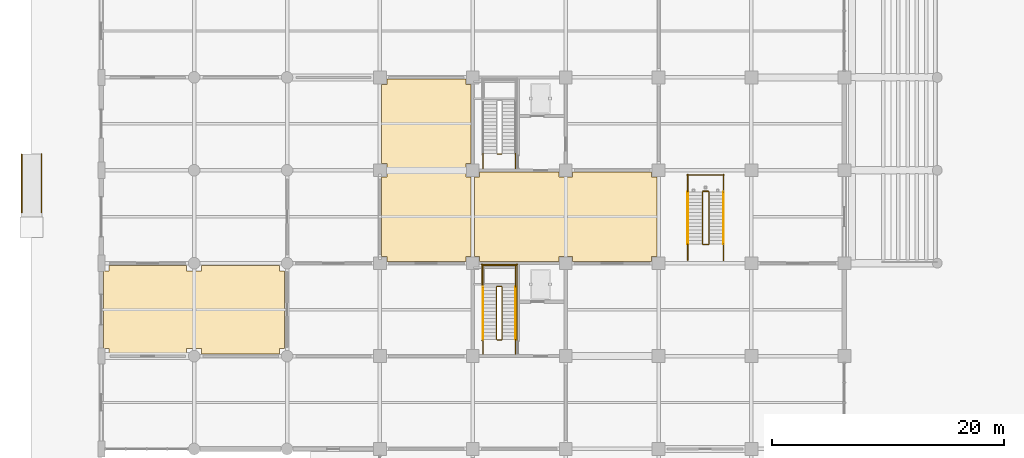
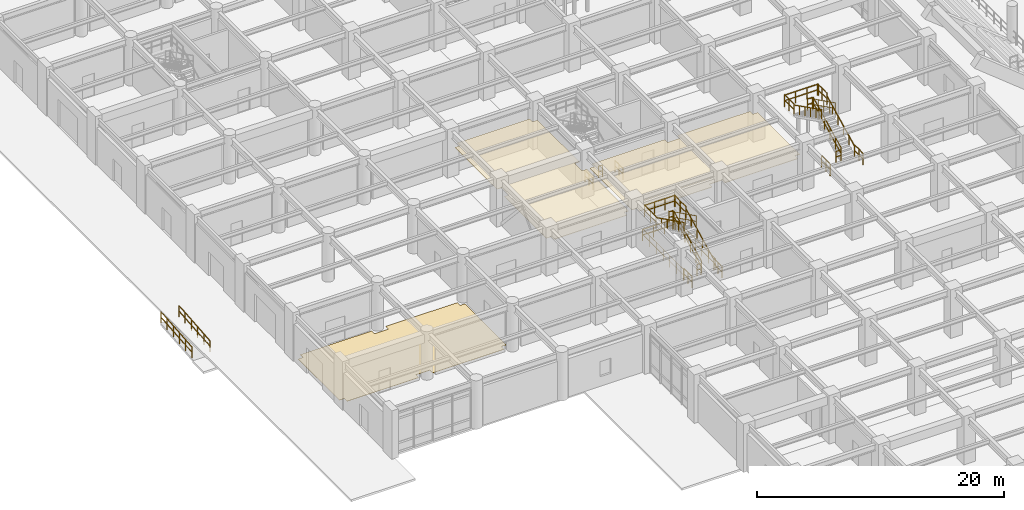
# One storey, part 104 of 125: 30 railings, 3 coverings.
"""IFC4 building model written with IfcOpenShell, lengths in metres."""

from ifc_helpers import new_model, si_unit, direction, frame, origin, origin_2d, place, context, subcontext, project, spatial, polyline, circle, outline, extrude, material, layer, layer_set, type_object, element, save


model = new_model("IFC4")

# Units and contexts
model_context = context("Model", 3, precision=1e-05, world=origin(), true_north=direction((0.0, 1.0)))
body_context = subcontext(model_context, "Body", "Model", "MODEL_VIEW")
ifc_project = project(units=[si_unit("LENGTHUNIT", "METRE"), si_unit("AREAUNIT", "SQUARE_METRE"), si_unit("VOLUMEUNIT", "CUBIC_METRE"), si_unit("PLANEANGLEUNIT", "RADIAN"), si_unit("MASSUNIT", "GRAM", prefix="KILO")], contexts=[model_context])

# Site, building, storey
site_placement = place(None, origin())
site = spatial("IfcSite", under=ifc_project, at=site_placement, CompositionType="ELEMENT")
building_placement = place(site_placement, origin())
building = spatial("IfcBuilding", under=site, at=building_placement, Name="Haebicheon Civic Stadium", CompositionType="ELEMENT")
storey_placement = place(building_placement, origin())
storey = spatial("IfcBuildingStorey", under=building, at=storey_placement, Name="L01", CompositionType="ELEMENT", Elevation=0.0)

# Coverings
ifc_material_1 = material(Name="Perforated mineral-fibre acoustic board", Category="gypsum")
ifc_layer_1 = layer(ifc_material_1, 0.0400390625, Name="Perforated mineral-fibre acoustic board")
ifc_layer_set_1 = layer_set([ifc_layer_1], Name="Perforated mineral-fibre acoustic board")
covering_type_1 = type_object("IfcCoveringType", Name="COV-CLG-AC", PredefinedType="CEILING", material=ifc_layer_set_1)
covering_1_placement = place(storey_placement, frame((0.0, 0.0, 2.81005859375)))
element("IfcCovering", 1, at=covering_1_placement, inside=storey, type_object=covering_type_1, material=ifc_layer_set_1, Name="L01 Mixed Zone Media Interview Hall acoustic ceiling", PredefinedType="CEILING", context=body_context, shape_type="SweptSolid", body=[
    extrude(outline(polyline([(24.594970703125, 48.14501953125), (24.594970703125, 48.594970703125), (24.14501953125, 48.594970703125), (24.14501953125, 55.405029296875), (24.594970703125, 55.405029296875), (24.594970703125, 56.594970703125), (24.14501953125, 56.594970703125), (24.14501953125, 63.405029296875), (24.594970703125, 63.405029296875), (24.594970703125, 63.85498046875), (31.405029296875, 63.85498046875), (31.405029296875, 63.405029296875), (31.85498046875, 63.405029296875), (31.85498046875, 56.594970703125), (31.405029296875, 56.594970703125), (31.405029296875, 55.405029296875), (31.85498046875, 55.405029296875), (31.85498046875, 48.594970703125), (31.405029296875, 48.594970703125), (31.405029296875, 48.14501953125), (24.594970703125, 48.14501953125)])), origin(), (0.0, 0.0, 1.0), 0.0400390625),
])
covering_2_placement = place(storey_placement, frame((0.0, 0.0, 2.81005859375)))
element("IfcCovering", 2, at=covering_2_placement, inside=storey, type_object=covering_type_1, material=ifc_layer_set_1, Name="L01 VIP Entrance Reception Hall acoustic ceiling", PredefinedType="CEILING", context=body_context, shape_type="SweptSolid", body=[
    extrude(outline(polyline([(32.14501953125, 55.405029296875), (32.594970703125, 55.405029296875), (32.594970703125, 55.85498046875), (39.405029296875, 55.85498046875), (39.405029296875, 55.405029296875), (40.594970703125, 55.405029296875), (40.594970703125, 55.85498046875), (47.405029296875, 55.85498046875), (47.405029296875, 55.405029296875), (47.85498046875, 55.405029296875), (47.85498046875, 48.594970703125), (47.405029296875, 48.594970703125), (47.405029296875, 48.14501953125), (40.594970703125, 48.14501953125), (40.594970703125, 48.594970703125), (39.405029296875, 48.594970703125), (39.405029296875, 48.14501953125), (32.594970703125, 48.14501953125), (32.594970703125, 48.594970703125), (32.14501953125, 48.594970703125), (32.14501953125, 55.405029296875)])), origin(), (0.0, 0.0, 1.0), 0.0400390625),
])
ifc_material_2 = material(Name="Quartz epoxy resin mortar", Category="concrete")
ifc_layer_2 = layer(ifc_material_2, 0.030029296875, Name="Quartz epoxy resin mortar")
ifc_layer_set_2 = layer_set([ifc_layer_2], Name="Quartz epoxy resin mortar")
covering_type_2 = type_object("IfcCoveringType", Name="COV-FLR-EPX", PredefinedType="FLOORING", material=ifc_layer_set_2)
covering_3_placement = place(storey_placement, origin())
element("IfcCovering", 3, at=covering_3_placement, inside=storey, type_object=covering_type_2, material=ifc_layer_set_2, Name="L01 Ticketing Hall non-slip floor finish", PredefinedType="FLOORING", context=body_context, shape_type="SweptSolid", body=[
    extrude(outline(polyline([(0.199951171875, 47.35009765625), (0.64990234375, 47.35009765625), (0.64990234375, 47.800048828125), (7.35009765625, 47.800048828125), (7.35009765625, 47.35009765625), (8.64990234375, 47.35009765625), (8.64990234375, 47.800048828125), (15.35009765625, 47.800048828125), (15.35009765625, 47.35009765625), (15.800048828125, 47.35009765625), (15.800048828125, 40.64990234375), (15.35009765625, 40.64990234375), (15.35009765625, 40.199951171875), (8.64990234375, 40.199951171875), (8.64990234375, 40.64990234375), (7.35009765625, 40.64990234375), (7.35009765625, 40.199951171875), (0.64990234375, 40.199951171875), (0.64990234375, 40.64990234375), (0.199951171875, 40.64990234375), (0.199951171875, 47.35009765625)])), origin(), (0.0, 0.0, 1.0), 0.030029296875),
])

# Railings
ifc_material_3 = material(Name="Stainless steel 316 and laminated glass", Category="steel")
railing_type_1 = type_object("IfcRailingType", Name="RL-BAL-1200", PredefinedType="BALUSTRADE", material=ifc_material_3)
for number, where, name in (
    (4, (-6.85009765625, 52.360107421875, -0.419921875), "Ramp handrail guard RMP-01 L"),
    (5, (-5.14990234375, 52.360107421875, -0.419921875), "Ramp handrail guard RMP-01 R"),
):
    element("IfcRailing", number, at=place(storey_placement, frame(where)), inside=storey, type_object=railing_type_1, material=ifc_material_3, Name=name, PredefinedType="BALUSTRADE", context=body_context, shape_type="SweptSolid", body=[
        extrude(circle(Radius=0.02392578125, at=origin_2d()), frame((0.0, 0.0, 1.076171875), z_axis=(0.0, 0.996546756972, 0.083033494259), x_axis=(-1.0, 0.0, 0.0)), (0.0, 0.0, 1.0), 5.057373046875),
        extrude(circle(Radius=0.02392578125, at=origin_2d()), frame((0.0, 0.0, 0.550048828125), z_axis=(0.0, 0.996546756972, 0.083033494259), x_axis=(-1.0, 0.0, 0.0)), (0.0, 0.0, 1.0), 5.057373046875),
        extrude(circle(Radius=0.02099609375, at=origin_2d()), origin(), (0.0, 0.0, 1.0), 1.052001953125),
        extrude(circle(Radius=0.02099609375, at=origin_2d()), frame((0.0, 1.008056640625, 0.083984375)), (0.0, 0.0, 1.0), 1.052001953125),
        extrude(circle(Radius=0.02099609375, at=origin_2d()), frame((0.0, 2.015869140625, 0.16796875)), (0.0, 0.0, 1.0), 1.052001953125),
        extrude(circle(Radius=0.02099609375, at=origin_2d()), frame((0.0, 3.02392578125, 0.251953125)), (0.0, 0.0, 1.0), 1.052001953125),
        extrude(circle(Radius=0.02099609375, at=origin_2d()), frame((0.0, 4.03173828125, 0.3359375)), (0.0, 0.0, 1.0), 1.052001953125),
        extrude(circle(Radius=0.02099609375, at=origin_2d()), frame((0.0, 5.039794921875, 0.419921875)), (0.0, 0.0, 1.0), 1.052001953125),
    ])
ifc_material_4 = material(Name="Galvanised painted steel SM355", Category="steel")
railing_type_2 = type_object("IfcRailingType", Name="RL-GRD-1150", PredefinedType="GUARDRAIL", material=ifc_material_4)
railing_1_placement = place(storey_placement, frame((34.530029296875, 41.449951171875, 0.14990234375)))
element("IfcRailing", 6, at=railing_1_placement, inside=storey, type_object=railing_type_2, material=ifc_material_4, Name="L01 ST-01 stair guard 1", PredefinedType="GUARDRAIL", context=body_context, shape_type="SweptSolid", body=[
    extrude(circle(Radius=0.02392578125, at=origin_2d()), frame((0.0, 0.0, 1.1259765625), z_axis=(0.0, 0.894427191, 0.4472135955), x_axis=(-1.0, 0.0, 0.0)), (0.0, 0.0, 1.0), 5.03125),
    extrude(circle(Radius=0.02392578125, at=origin_2d()), frame((0.0, 0.0, 0.574951171875), z_axis=(0.0, 0.894427191, 0.4472135955), x_axis=(-1.0, 0.0, 0.0)), (0.0, 0.0, 1.0), 5.03125),
    extrude(circle(Radius=0.02099609375, at=origin_2d()), origin(), (0.0, 0.0, 1.0), 1.101806640625),
    extrude(circle(Radius=0.02099609375, at=origin_2d()), frame((0.0, 0.89990234375, 0.449951171875)), (0.0, 0.0, 1.0), 1.101806640625),
    extrude(circle(Radius=0.02099609375, at=origin_2d()), frame((0.0, 1.800048828125, 0.89990234375)), (0.0, 0.0, 1.0), 1.101806640625),
    extrude(circle(Radius=0.02099609375, at=origin_2d()), frame((0.0, 2.699951171875, 1.35009765625)), (0.0, 0.0, 1.0), 1.101806640625),
    extrude(circle(Radius=0.02099609375, at=origin_2d()), frame((0.0, 3.60009765625, 1.800048828125)), (0.0, 0.0, 1.0), 1.101806640625),
    extrude(circle(Radius=0.02099609375, at=origin_2d()), frame((0.0, 4.5, 2.25)), (0.0, 0.0, 1.0), 1.101806640625),
])
railing_2_placement = place(storey_placement, frame((34.47998046875, 46.0, 2.39990234375)))
element("IfcRailing", 7, at=railing_2_placement, inside=storey, type_object=railing_type_2, material=ifc_material_4, Name="L01 ST-01 stair guard 2", PredefinedType="GUARDRAIL", context=body_context, shape_type="SweptSolid", body=[
    extrude(circle(Radius=0.02392578125, at=origin_2d()), frame((0.0, 0.0, 1.1259765625), z_axis=(-1.0, 0.0, 0.0), x_axis=(0.0, -1.0, 0.0)), (0.0, 0.0, 1.0), 0.3798828125),
    extrude(circle(Radius=0.02392578125, at=origin_2d()), frame((0.0, 0.0, 0.574951171875), z_axis=(-1.0, 0.0, 0.0), x_axis=(0.0, -1.0, 0.0)), (0.0, 0.0, 1.0), 0.3798828125),
    extrude(circle(Radius=0.02099609375, at=origin_2d()), origin(), (0.0, 0.0, 1.0), 1.101806640625),
    extrude(circle(Radius=0.02099609375, at=origin_2d()), frame((-0.3798828125, 0.0, 0.0)), (0.0, 0.0, 1.0), 1.101806640625),
])
for number, where, name in (
    (8, (35.68994140625, 45.949951171875, 2.39990234375), "L01 ST-01 stair guard 3"),
    (9, (32.889892578125, 45.949951171875, 2.39990234375), "L01 ST-01 stair guard 4"),
):
    element("IfcRailing", number, at=place(storey_placement, frame(where)), inside=storey, type_object=railing_type_2, material=ifc_material_4, Name=name, PredefinedType="GUARDRAIL", context=body_context, shape_type="SweptSolid", body=[
        extrude(circle(Radius=0.02392578125, at=origin_2d()), frame((0.0, 0.0, 1.1259765625), z_axis=(0.0, 1.0, 0.0), x_axis=(-1.0, 0.0, 0.0)), (0.0, 0.0, 1.0), 1.89013671875),
        extrude(circle(Radius=0.02392578125, at=origin_2d()), frame((0.0, 0.0, 0.574951171875), z_axis=(0.0, 1.0, 0.0), x_axis=(-1.0, 0.0, 0.0)), (0.0, 0.0, 1.0), 1.89013671875),
        extrude(circle(Radius=0.02099609375, at=origin_2d()), origin(), (0.0, 0.0, 1.0), 1.101806640625),
        extrude(circle(Radius=0.02099609375, at=origin_2d()), frame((0.0, 0.945068359375, 0.0)), (0.0, 0.0, 1.0), 1.101806640625),
        extrude(circle(Radius=0.02099609375, at=origin_2d()), frame((0.0, 1.89013671875, 0.0)), (0.0, 0.0, 1.0), 1.101806640625),
    ])
railing_3_placement = place(storey_placement, frame((35.739990234375, 47.7900390625, 2.39990234375)))
element("IfcRailing", 10, at=railing_3_placement, inside=storey, type_object=railing_type_2, material=ifc_material_4, Name="L01 ST-01 stair guard 5", PredefinedType="GUARDRAIL", context=body_context, shape_type="SweptSolid", body=[
    extrude(circle(Radius=0.02392578125, at=origin_2d()), frame((0.0, 0.0, 1.1259765625), z_axis=(-1.0, 0.0, 0.0), x_axis=(0.0, -1.0, 0.0)), (0.0, 0.0, 1.0), 2.89990234375),
    extrude(circle(Radius=0.02392578125, at=origin_2d()), frame((0.0, 0.0, 0.574951171875), z_axis=(-1.0, 0.0, 0.0), x_axis=(0.0, -1.0, 0.0)), (0.0, 0.0, 1.0), 2.89990234375),
    extrude(circle(Radius=0.02099609375, at=origin_2d()), origin(), (0.0, 0.0, 1.0), 1.101806640625),
    extrude(circle(Radius=0.02099609375, at=origin_2d()), frame((-0.966552734375, 0.0, 0.0)), (0.0, 0.0, 1.0), 1.101806640625),
    extrude(circle(Radius=0.02099609375, at=origin_2d()), frame((-1.933349609375, 0.0, 0.0)), (0.0, 0.0, 1.0), 1.101806640625),
    extrude(circle(Radius=0.02099609375, at=origin_2d()), frame((-2.89990234375, 0.0, 0.0)), (0.0, 0.0, 1.0), 1.101806640625),
])
railing_4_placement = place(storey_placement, frame((34.050048828125, 45.949951171875, 2.550048828125)))
element("IfcRailing", 11, at=railing_4_placement, inside=storey, type_object=railing_type_2, material=ifc_material_4, Name="L01 ST-01 stair guard 6", PredefinedType="GUARDRAIL", context=body_context, shape_type="SweptSolid", body=[
    extrude(circle(Radius=0.02392578125, at=origin_2d()), frame((0.0, 0.0, 1.1259765625), z_axis=(0.0, -0.894427191, 0.4472135955), x_axis=(1.0, 0.0, 0.0)), (0.0, 0.0, 1.0), 5.03125),
    extrude(circle(Radius=0.02392578125, at=origin_2d()), frame((0.0, 0.0, 0.574951171875), z_axis=(0.0, -0.894427191, 0.4472135955), x_axis=(1.0, 0.0, 0.0)), (0.0, 0.0, 1.0), 5.03125),
    extrude(circle(Radius=0.02099609375, at=origin_2d()), origin(), (0.0, 0.0, 1.0), 1.101806640625),
    extrude(circle(Radius=0.02099609375, at=origin_2d()), frame((0.0, -0.89990234375, 0.449951171875)), (0.0, 0.0, 1.0), 1.101806640625),
    extrude(circle(Radius=0.02099609375, at=origin_2d()), frame((0.0, -1.800048828125, 0.89990234375)), (0.0, 0.0, 1.0), 1.101806640625),
    extrude(circle(Radius=0.02099609375, at=origin_2d()), frame((0.0, -2.699951171875, 1.35009765625)), (0.0, 0.0, 1.0), 1.101806640625),
    extrude(circle(Radius=0.02099609375, at=origin_2d()), frame((0.0, -3.60009765625, 1.800048828125)), (0.0, 0.0, 1.0), 1.101806640625),
    extrude(circle(Radius=0.02099609375, at=origin_2d()), frame((0.0, -4.5, 2.25)), (0.0, 0.0, 1.0), 1.101806640625),
])
railing_5_placement = place(storey_placement, frame((34.47998046875, 41.39990234375, 0.0)))
element("IfcRailing", 12, at=railing_5_placement, inside=storey, type_object=railing_type_2, material=ifc_material_4, Name="L01 ST-01 stair guard 7", PredefinedType="GUARDRAIL", context=body_context, shape_type="SweptSolid", body=[
    extrude(circle(Radius=0.02392578125, at=origin_2d()), frame((0.0, 0.0, 1.1259765625), z_axis=(-1.0, 0.0, 0.0), x_axis=(0.0, -1.0, 0.0)), (0.0, 0.0, 1.0), 0.3798828125),
    extrude(circle(Radius=0.02392578125, at=origin_2d()), frame((0.0, 0.0, 0.574951171875), z_axis=(-1.0, 0.0, 0.0), x_axis=(0.0, -1.0, 0.0)), (0.0, 0.0, 1.0), 0.3798828125),
    extrude(circle(Radius=0.02099609375, at=origin_2d()), origin(), (0.0, 0.0, 1.0), 1.101806640625),
    extrude(circle(Radius=0.02099609375, at=origin_2d()), frame((-0.3798828125, 0.0, 0.0)), (0.0, 0.0, 1.0), 1.101806640625),
])
for number, where, name in (
    (13, (35.68994140625, 40.159912109375, 0.0), "L01 ST-01 stair guard 8"),
    (14, (32.889892578125, 40.159912109375, 0.0), "L01 ST-01 stair guard 9"),
):
    element("IfcRailing", number, at=place(storey_placement, frame(where)), inside=storey, type_object=railing_type_2, material=ifc_material_4, Name=name, PredefinedType="GUARDRAIL", context=body_context, shape_type="SweptSolid", body=[
        extrude(circle(Radius=0.02392578125, at=origin_2d()), frame((0.0, 0.0, 1.1259765625), z_axis=(0.0, 1.0, 0.0), x_axis=(-1.0, 0.0, 0.0)), (0.0, 0.0, 1.0), 1.2900390625),
        extrude(circle(Radius=0.02392578125, at=origin_2d()), frame((0.0, 0.0, 0.574951171875), z_axis=(0.0, 1.0, 0.0), x_axis=(-1.0, 0.0, 0.0)), (0.0, 0.0, 1.0), 1.2900390625),
        extrude(circle(Radius=0.02099609375, at=origin_2d()), origin(), (0.0, 0.0, 1.0), 1.101806640625),
        extrude(circle(Radius=0.02099609375, at=origin_2d()), frame((0.0, 0.64501953125, 0.0)), (0.0, 0.0, 1.0), 1.101806640625),
        extrude(circle(Radius=0.02099609375, at=origin_2d()), frame((0.0, 1.2900390625, 0.0)), (0.0, 0.0, 1.0), 1.101806640625),
    ])
for number, where, name in (
    (15, (35.7900390625, 41.35009765625, 0.0), "L01 ST-01 stair guard 10"),
    (16, (32.7900390625, 41.35009765625, 0.0), "L01 ST-01 stair guard 11"),
):
    element("IfcRailing", number, at=place(storey_placement, frame(where)), inside=storey, type_object=railing_type_2, material=ifc_material_4, Name=name, PredefinedType="GUARDRAIL", context=body_context, shape_type="SweptSolid", body=[
        extrude(circle(Radius=0.02392578125, at=origin_2d()), frame((0.0, 0.0, 1.1259765625), z_axis=(0.0, 1.0, 0.0), x_axis=(-1.0, 0.0, 0.0)), (0.0, 0.0, 1.0), 6.58984375),
        extrude(circle(Radius=0.02392578125, at=origin_2d()), frame((0.0, 0.0, 0.574951171875), z_axis=(0.0, 1.0, 0.0), x_axis=(-1.0, 0.0, 0.0)), (0.0, 0.0, 1.0), 6.58984375),
        extrude(circle(Radius=0.02099609375, at=origin_2d()), origin(), (0.0, 0.0, 1.0), 1.101806640625),
        extrude(circle(Radius=0.02099609375, at=origin_2d()), frame((0.0, 1.098388671875, 0.0)), (0.0, 0.0, 1.0), 1.101806640625),
        extrude(circle(Radius=0.02099609375, at=origin_2d()), frame((0.0, 2.196533203125, 0.0)), (0.0, 0.0, 1.0), 1.101806640625),
        extrude(circle(Radius=0.02099609375, at=origin_2d()), frame((0.0, 3.294921875, 0.0)), (0.0, 0.0, 1.0), 1.101806640625),
        extrude(circle(Radius=0.02099609375, at=origin_2d()), frame((0.0, 4.393310546875, 0.0)), (0.0, 0.0, 1.0), 1.101806640625),
        extrude(circle(Radius=0.02099609375, at=origin_2d()), frame((0.0, 5.491455078125, 0.0)), (0.0, 0.0, 1.0), 1.101806640625),
        extrude(circle(Radius=0.02099609375, at=origin_2d()), frame((0.0, 6.58984375, 0.0)), (0.0, 0.0, 1.0), 1.101806640625),
    ])
railing_6_placement = place(storey_placement, frame((35.840087890625, 47.889892578125, 0.0)))
element("IfcRailing", 17, at=railing_6_placement, inside=storey, type_object=railing_type_2, material=ifc_material_4, Name="L01 ST-01 stair guard 12", PredefinedType="GUARDRAIL", context=body_context, shape_type="SweptSolid", body=[
    extrude(circle(Radius=0.02392578125, at=origin_2d()), frame((0.0, 0.0, 1.1259765625), z_axis=(-1.0, 0.0, 0.0), x_axis=(0.0, -1.0, 0.0)), (0.0, 0.0, 1.0), 3.10009765625),
    extrude(circle(Radius=0.02392578125, at=origin_2d()), frame((0.0, 0.0, 0.574951171875), z_axis=(-1.0, 0.0, 0.0), x_axis=(0.0, -1.0, 0.0)), (0.0, 0.0, 1.0), 3.10009765625),
    extrude(circle(Radius=0.02099609375, at=origin_2d()), origin(), (0.0, 0.0, 1.0), 1.101806640625),
    extrude(circle(Radius=0.02099609375, at=origin_2d()), frame((-1.033447265625, 0.0, 0.0)), (0.0, 0.0, 1.0), 1.101806640625),
    extrude(circle(Radius=0.02099609375, at=origin_2d()), frame((-2.066650390625, 0.0, 0.0)), (0.0, 0.0, 1.0), 1.101806640625),
    extrude(circle(Radius=0.02099609375, at=origin_2d()), frame((-3.10009765625, 0.0, 0.0)), (0.0, 0.0, 1.0), 1.101806640625),
])
railing_7_placement = place(storey_placement, frame((34.4599609375, 57.39990234375, 0.0)))
element("IfcRailing", 18, at=railing_7_placement, inside=storey, type_object=railing_type_2, material=ifc_material_4, Name="L01 ST-02 stair guard 7", PredefinedType="GUARDRAIL", context=body_context, shape_type="SweptSolid", body=[
    extrude(circle(Radius=0.02392578125, at=origin_2d()), frame((0.0, 0.0, 1.1259765625), z_axis=(-1.0, 0.0, 0.0), x_axis=(0.0, -1.0, 0.0)), (0.0, 0.0, 1.0), 0.33984375),
    extrude(circle(Radius=0.02392578125, at=origin_2d()), frame((0.0, 0.0, 0.574951171875), z_axis=(-1.0, 0.0, 0.0), x_axis=(0.0, -1.0, 0.0)), (0.0, 0.0, 1.0), 0.33984375),
    extrude(circle(Radius=0.02099609375, at=origin_2d()), origin(), (0.0, 0.0, 1.0), 1.101806640625),
    extrude(circle(Radius=0.02099609375, at=origin_2d()), frame((-0.33984375, 0.0, 0.0)), (0.0, 0.0, 1.0), 1.101806640625),
])
for number, where, name in (
    (19, (35.68994140625, 56.159912109375, 0.0), "L01 ST-02 stair guard 8"),
    (20, (32.889892578125, 56.159912109375, 0.0), "L01 ST-02 stair guard 9"),
):
    element("IfcRailing", number, at=place(storey_placement, frame(where)), inside=storey, type_object=railing_type_2, material=ifc_material_4, Name=name, PredefinedType="GUARDRAIL", context=body_context, shape_type="SweptSolid", body=[
        extrude(circle(Radius=0.02392578125, at=origin_2d()), frame((0.0, 0.0, 1.1259765625), z_axis=(0.0, 1.0, 0.0), x_axis=(-1.0, 0.0, 0.0)), (0.0, 0.0, 1.0), 1.2900390625),
        extrude(circle(Radius=0.02392578125, at=origin_2d()), frame((0.0, 0.0, 0.574951171875), z_axis=(0.0, 1.0, 0.0), x_axis=(-1.0, 0.0, 0.0)), (0.0, 0.0, 1.0), 1.2900390625),
        extrude(circle(Radius=0.02099609375, at=origin_2d()), origin(), (0.0, 0.0, 1.0), 1.101806640625),
        extrude(circle(Radius=0.02099609375, at=origin_2d()), frame((0.0, 0.64501953125, 0.0)), (0.0, 0.0, 1.0), 1.101806640625),
        extrude(circle(Radius=0.02099609375, at=origin_2d()), frame((0.0, 1.2900390625, 0.0)), (0.0, 0.0, 1.0), 1.101806640625),
    ])
railing_8_placement = place(storey_placement, frame((52.330078125, 49.64990234375, 0.14990234375)))
element("IfcRailing", 21, at=railing_8_placement, inside=storey, type_object=railing_type_2, material=ifc_material_4, Name="L01 VM-01 stair guard 1", PredefinedType="GUARDRAIL", context=body_context, shape_type="SweptSolid", body=[
    extrude(circle(Radius=0.02392578125, at=origin_2d()), frame((0.0, 0.0, 1.1259765625), z_axis=(0.0, 0.894427191, 0.4472135955), x_axis=(-1.0, 0.0, 0.0)), (0.0, 0.0, 1.0), 5.03125),
    extrude(circle(Radius=0.02392578125, at=origin_2d()), frame((0.0, 0.0, 0.574951171875), z_axis=(0.0, 0.894427191, 0.4472135955), x_axis=(-1.0, 0.0, 0.0)), (0.0, 0.0, 1.0), 5.03125),
    extrude(circle(Radius=0.02099609375, at=origin_2d()), origin(), (0.0, 0.0, 1.0), 1.101806640625),
    extrude(circle(Radius=0.02099609375, at=origin_2d()), frame((0.0, 0.89990234375, 0.449951171875)), (0.0, 0.0, 1.0), 1.101806640625),
    extrude(circle(Radius=0.02099609375, at=origin_2d()), frame((0.0, 1.800048828125, 0.89990234375)), (0.0, 0.0, 1.0), 1.101806640625),
    extrude(circle(Radius=0.02099609375, at=origin_2d()), frame((0.0, 2.699951171875, 1.35009765625)), (0.0, 0.0, 1.0), 1.101806640625),
    extrude(circle(Radius=0.02099609375, at=origin_2d()), frame((0.0, 3.60009765625, 1.800048828125)), (0.0, 0.0, 1.0), 1.101806640625),
    extrude(circle(Radius=0.02099609375, at=origin_2d()), frame((0.0, 4.5, 2.25)), (0.0, 0.0, 1.0), 1.101806640625),
])
railing_9_placement = place(storey_placement, frame((52.280029296875, 54.199951171875, 2.39990234375)))
element("IfcRailing", 22, at=railing_9_placement, inside=storey, type_object=railing_type_2, material=ifc_material_4, Name="L01 VM-01 stair guard 2", PredefinedType="GUARDRAIL", context=body_context, shape_type="SweptSolid", body=[
    extrude(circle(Radius=0.02392578125, at=origin_2d()), frame((0.0, 0.0, 1.1259765625), z_axis=(-1.0, 0.0, 0.0), x_axis=(0.0, -1.0, 0.0)), (0.0, 0.0, 1.0), 0.4599609375),
    extrude(circle(Radius=0.02392578125, at=origin_2d()), frame((0.0, 0.0, 0.574951171875), z_axis=(-1.0, 0.0, 0.0), x_axis=(0.0, -1.0, 0.0)), (0.0, 0.0, 1.0), 0.4599609375),
    extrude(circle(Radius=0.02099609375, at=origin_2d()), origin(), (0.0, 0.0, 1.0), 1.101806640625),
    extrude(circle(Radius=0.02099609375, at=origin_2d()), frame((-0.4599609375, 0.0, 0.0)), (0.0, 0.0, 1.0), 1.101806640625),
])
for number, where, name in (
    (23, (53.590087890625, 54.14990234375, 2.39990234375), "L01 VM-01 stair guard 3"),
    (24, (50.510009765625, 54.14990234375, 2.39990234375), "L01 VM-01 stair guard 4"),
):
    element("IfcRailing", number, at=place(storey_placement, frame(where)), inside=storey, type_object=railing_type_2, material=ifc_material_4, Name=name, PredefinedType="GUARDRAIL", context=body_context, shape_type="SweptSolid", body=[
        extrude(circle(Radius=0.02392578125, at=origin_2d()), frame((0.0, 0.0, 1.1259765625), z_axis=(0.0, 1.0, 0.0), x_axis=(-1.0, 0.0, 0.0)), (0.0, 0.0, 1.0), 1.5),
        extrude(circle(Radius=0.02392578125, at=origin_2d()), frame((0.0, 0.0, 0.574951171875), z_axis=(0.0, 1.0, 0.0), x_axis=(-1.0, 0.0, 0.0)), (0.0, 0.0, 1.0), 1.5),
        extrude(circle(Radius=0.02099609375, at=origin_2d()), origin(), (0.0, 0.0, 1.0), 1.101806640625),
        extrude(circle(Radius=0.02099609375, at=origin_2d()), frame((0.0, 0.75, 0.0)), (0.0, 0.0, 1.0), 1.101806640625),
        extrude(circle(Radius=0.02099609375, at=origin_2d()), frame((0.0, 1.5, 0.0)), (0.0, 0.0, 1.0), 1.101806640625),
    ])
railing_10_placement = place(storey_placement, frame((53.639892578125, 55.60009765625, 2.39990234375)))
element("IfcRailing", 25, at=railing_10_placement, inside=storey, type_object=railing_type_2, material=ifc_material_4, Name="L01 VM-01 stair guard 5", PredefinedType="GUARDRAIL", context=body_context, shape_type="SweptSolid", body=[
    extrude(circle(Radius=0.02392578125, at=origin_2d()), frame((0.0, 0.0, 1.1259765625), z_axis=(-1.0, 0.0, 0.0), x_axis=(0.0, -1.0, 0.0)), (0.0, 0.0, 1.0), 3.179931640625),
    extrude(circle(Radius=0.02392578125, at=origin_2d()), frame((0.0, 0.0, 0.574951171875), z_axis=(-1.0, 0.0, 0.0), x_axis=(0.0, -1.0, 0.0)), (0.0, 0.0, 1.0), 3.179931640625),
    extrude(circle(Radius=0.02099609375, at=origin_2d()), origin(), (0.0, 0.0, 1.0), 1.101806640625),
    extrude(circle(Radius=0.02099609375, at=origin_2d()), frame((-1.06005859375, 0.0, 0.0)), (0.0, 0.0, 1.0), 1.101806640625),
    extrude(circle(Radius=0.02099609375, at=origin_2d()), frame((-2.119873046875, 0.0, 0.0)), (0.0, 0.0, 1.0), 1.101806640625),
    extrude(circle(Radius=0.02099609375, at=origin_2d()), frame((-3.179931640625, 0.0, 0.0)), (0.0, 0.0, 1.0), 1.101806640625),
])
railing_11_placement = place(storey_placement, frame((51.77001953125, 54.14990234375, 2.550048828125)))
element("IfcRailing", 26, at=railing_11_placement, inside=storey, type_object=railing_type_2, material=ifc_material_4, Name="L01 VM-01 stair guard 6", PredefinedType="GUARDRAIL", context=body_context, shape_type="SweptSolid", body=[
    extrude(circle(Radius=0.02392578125, at=origin_2d()), frame((0.0, 0.0, 1.1259765625), z_axis=(0.0, -0.894427191, 0.4472135955), x_axis=(1.0, 0.0, 0.0)), (0.0, 0.0, 1.0), 5.03125),
    extrude(circle(Radius=0.02392578125, at=origin_2d()), frame((0.0, 0.0, 0.574951171875), z_axis=(0.0, -0.894427191, 0.4472135955), x_axis=(1.0, 0.0, 0.0)), (0.0, 0.0, 1.0), 5.03125),
    extrude(circle(Radius=0.02099609375, at=origin_2d()), origin(), (0.0, 0.0, 1.0), 1.101806640625),
    extrude(circle(Radius=0.02099609375, at=origin_2d()), frame((0.0, -0.89990234375, 0.449951171875)), (0.0, 0.0, 1.0), 1.101806640625),
    extrude(circle(Radius=0.02099609375, at=origin_2d()), frame((0.0, -1.800048828125, 0.89990234375)), (0.0, 0.0, 1.0), 1.101806640625),
    extrude(circle(Radius=0.02099609375, at=origin_2d()), frame((0.0, -2.699951171875, 1.35009765625)), (0.0, 0.0, 1.0), 1.101806640625),
    extrude(circle(Radius=0.02099609375, at=origin_2d()), frame((0.0, -3.60009765625, 1.800048828125)), (0.0, 0.0, 1.0), 1.101806640625),
    extrude(circle(Radius=0.02099609375, at=origin_2d()), frame((0.0, -4.5, 2.25)), (0.0, 0.0, 1.0), 1.101806640625),
])
railing_12_placement = place(storey_placement, frame((52.280029296875, 49.60009765625, 0.0)))
element("IfcRailing", 27, at=railing_12_placement, inside=storey, type_object=railing_type_2, material=ifc_material_4, Name="L01 VM-01 stair guard 7", PredefinedType="GUARDRAIL", context=body_context, shape_type="SweptSolid", body=[
    extrude(circle(Radius=0.02392578125, at=origin_2d()), frame((0.0, 0.0, 1.1259765625), z_axis=(-1.0, 0.0, 0.0), x_axis=(0.0, -1.0, 0.0)), (0.0, 0.0, 1.0), 0.4599609375),
    extrude(circle(Radius=0.02392578125, at=origin_2d()), frame((0.0, 0.0, 0.574951171875), z_axis=(-1.0, 0.0, 0.0), x_axis=(0.0, -1.0, 0.0)), (0.0, 0.0, 1.0), 0.4599609375),
    extrude(circle(Radius=0.02099609375, at=origin_2d()), origin(), (0.0, 0.0, 1.0), 1.101806640625),
    extrude(circle(Radius=0.02099609375, at=origin_2d()), frame((-0.4599609375, 0.0, 0.0)), (0.0, 0.0, 1.0), 1.101806640625),
])
for number, where, name in (
    (28, (53.590087890625, 48.25, 0.0), "L01 VM-01 stair guard 8"),
    (29, (50.510009765625, 48.25, 0.0), "L01 VM-01 stair guard 9"),
):
    element("IfcRailing", number, at=place(storey_placement, frame(where)), inside=storey, type_object=railing_type_2, material=ifc_material_4, Name=name, PredefinedType="GUARDRAIL", context=body_context, shape_type="SweptSolid", body=[
        extrude(circle(Radius=0.02392578125, at=origin_2d()), frame((0.0, 0.0, 1.1259765625), z_axis=(0.0, 1.0, 0.0), x_axis=(-1.0, 0.0, 0.0)), (0.0, 0.0, 1.0), 1.39990234375),
        extrude(circle(Radius=0.02392578125, at=origin_2d()), frame((0.0, 0.0, 0.574951171875), z_axis=(0.0, 1.0, 0.0), x_axis=(-1.0, 0.0, 0.0)), (0.0, 0.0, 1.0), 1.39990234375),
        extrude(circle(Radius=0.02099609375, at=origin_2d()), origin(), (0.0, 0.0, 1.0), 1.101806640625),
        extrude(circle(Radius=0.02099609375, at=origin_2d()), frame((0.0, 0.699951171875, 0.0)), (0.0, 0.0, 1.0), 1.101806640625),
        extrude(circle(Radius=0.02099609375, at=origin_2d()), frame((0.0, 1.39990234375, 0.0)), (0.0, 0.0, 1.0), 1.101806640625),
    ])
ifc_material_5 = material(Name="Stainless steel 316", Category="steel")
railing_type_3 = type_object("IfcRailingType", Name="RL-HND-900", PredefinedType="HANDRAIL", material=ifc_material_5)
railing_13_placement = place(storey_placement, frame((35.68994140625, 41.449951171875, 0.14990234375)))
element("IfcRailing", 30, at=railing_13_placement, inside=storey, type_object=railing_type_3, material=ifc_material_5, Name="L01 ST-01 stair handrail 1", PredefinedType="HANDRAIL", context=body_context, shape_type="SweptSolid", body=[
    extrude(circle(Radius=0.02392578125, at=origin_2d()), frame((0.0, 0.0, 0.8759765625), z_axis=(0.0, 0.894427191, 0.4472135955), x_axis=(-1.0, 0.0, 0.0)), (0.0, 0.0, 1.0), 5.03125),
    extrude(circle(Radius=0.02099609375, at=origin_2d()), origin(), (0.0, 0.0, 1.0), 0.851806640625),
    extrude(circle(Radius=0.02099609375, at=origin_2d()), frame((0.0, 0.89990234375, 0.449951171875)), (0.0, 0.0, 1.0), 0.851806640625),
    extrude(circle(Radius=0.02099609375, at=origin_2d()), frame((0.0, 1.800048828125, 0.89990234375)), (0.0, 0.0, 1.0), 0.851806640625),
    extrude(circle(Radius=0.02099609375, at=origin_2d()), frame((0.0, 2.699951171875, 1.35009765625)), (0.0, 0.0, 1.0), 0.851806640625),
    extrude(circle(Radius=0.02099609375, at=origin_2d()), frame((0.0, 3.60009765625, 1.800048828125)), (0.0, 0.0, 1.0), 0.851806640625),
    extrude(circle(Radius=0.02099609375, at=origin_2d()), frame((0.0, 4.5, 2.25)), (0.0, 0.0, 1.0), 0.851806640625),
])
railing_14_placement = place(storey_placement, frame((32.889892578125, 45.949951171875, 2.550048828125)))
element("IfcRailing", 31, at=railing_14_placement, inside=storey, type_object=railing_type_3, material=ifc_material_5, Name="L01 ST-01 stair handrail 2", PredefinedType="HANDRAIL", context=body_context, shape_type="SweptSolid", body=[
    extrude(circle(Radius=0.02392578125, at=origin_2d()), frame((0.0, 0.0, 0.8759765625), z_axis=(0.0, -0.894427191, 0.4472135955), x_axis=(1.0, 0.0, 0.0)), (0.0, 0.0, 1.0), 5.03125),
    extrude(circle(Radius=0.02099609375, at=origin_2d()), origin(), (0.0, 0.0, 1.0), 0.851806640625),
    extrude(circle(Radius=0.02099609375, at=origin_2d()), frame((0.0, -0.89990234375, 0.449951171875)), (0.0, 0.0, 1.0), 0.851806640625),
    extrude(circle(Radius=0.02099609375, at=origin_2d()), frame((0.0, -1.800048828125, 0.89990234375)), (0.0, 0.0, 1.0), 0.851806640625),
    extrude(circle(Radius=0.02099609375, at=origin_2d()), frame((0.0, -2.699951171875, 1.35009765625)), (0.0, 0.0, 1.0), 0.851806640625),
    extrude(circle(Radius=0.02099609375, at=origin_2d()), frame((0.0, -3.60009765625, 1.800048828125)), (0.0, 0.0, 1.0), 0.851806640625),
    extrude(circle(Radius=0.02099609375, at=origin_2d()), frame((0.0, -4.5, 2.25)), (0.0, 0.0, 1.0), 0.851806640625),
])
railing_15_placement = place(storey_placement, frame((53.590087890625, 49.64990234375, 0.14990234375)))
element("IfcRailing", 32, at=railing_15_placement, inside=storey, type_object=railing_type_3, material=ifc_material_5, Name="L01 VM-01 stair handrail 1", PredefinedType="HANDRAIL", context=body_context, shape_type="SweptSolid", body=[
    extrude(circle(Radius=0.02392578125, at=origin_2d()), frame((0.0, 0.0, 0.8759765625), z_axis=(0.0, 0.894427191, 0.4472135955), x_axis=(-1.0, 0.0, 0.0)), (0.0, 0.0, 1.0), 5.03125),
    extrude(circle(Radius=0.02099609375, at=origin_2d()), origin(), (0.0, 0.0, 1.0), 0.851806640625),
    extrude(circle(Radius=0.02099609375, at=origin_2d()), frame((0.0, 0.89990234375, 0.449951171875)), (0.0, 0.0, 1.0), 0.851806640625),
    extrude(circle(Radius=0.02099609375, at=origin_2d()), frame((0.0, 1.800048828125, 0.89990234375)), (0.0, 0.0, 1.0), 0.851806640625),
    extrude(circle(Radius=0.02099609375, at=origin_2d()), frame((0.0, 2.699951171875, 1.35009765625)), (0.0, 0.0, 1.0), 0.851806640625),
    extrude(circle(Radius=0.02099609375, at=origin_2d()), frame((0.0, 3.60009765625, 1.800048828125)), (0.0, 0.0, 1.0), 0.851806640625),
    extrude(circle(Radius=0.02099609375, at=origin_2d()), frame((0.0, 4.5, 2.25)), (0.0, 0.0, 1.0), 0.851806640625),
])
railing_16_placement = place(storey_placement, frame((50.510009765625, 54.14990234375, 2.550048828125)))
element("IfcRailing", 33, at=railing_16_placement, inside=storey, type_object=railing_type_3, material=ifc_material_5, Name="L01 VM-01 stair handrail 2", PredefinedType="HANDRAIL", context=body_context, shape_type="SweptSolid", body=[
    extrude(circle(Radius=0.02392578125, at=origin_2d()), frame((0.0, 0.0, 0.8759765625), z_axis=(0.0, -0.894427191, 0.4472135955), x_axis=(1.0, 0.0, 0.0)), (0.0, 0.0, 1.0), 5.03125),
    extrude(circle(Radius=0.02099609375, at=origin_2d()), origin(), (0.0, 0.0, 1.0), 0.851806640625),
    extrude(circle(Radius=0.02099609375, at=origin_2d()), frame((0.0, -0.89990234375, 0.449951171875)), (0.0, 0.0, 1.0), 0.851806640625),
    extrude(circle(Radius=0.02099609375, at=origin_2d()), frame((0.0, -1.800048828125, 0.89990234375)), (0.0, 0.0, 1.0), 0.851806640625),
    extrude(circle(Radius=0.02099609375, at=origin_2d()), frame((0.0, -2.699951171875, 1.35009765625)), (0.0, 0.0, 1.0), 0.851806640625),
    extrude(circle(Radius=0.02099609375, at=origin_2d()), frame((0.0, -3.60009765625, 1.800048828125)), (0.0, 0.0, 1.0), 0.851806640625),
    extrude(circle(Radius=0.02099609375, at=origin_2d()), frame((0.0, -4.5, 2.25)), (0.0, 0.0, 1.0), 0.851806640625),
])

save(model, "model.ifc")
